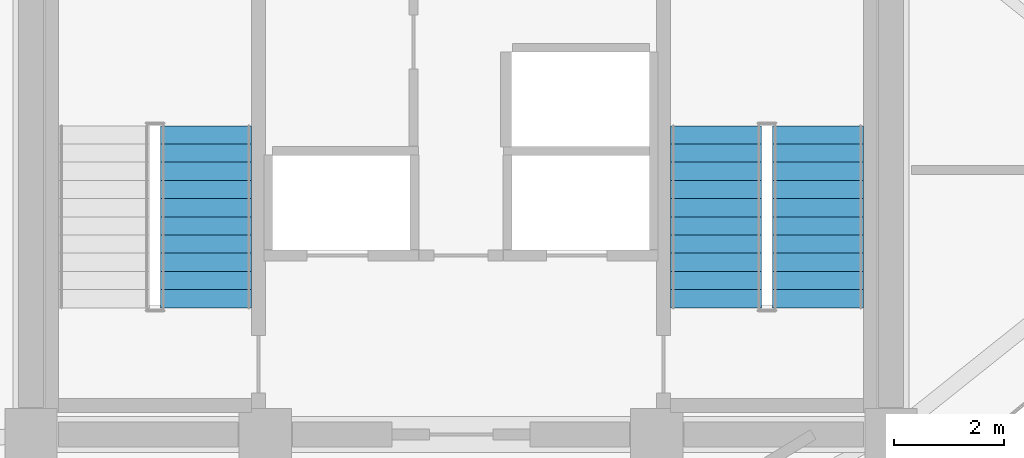
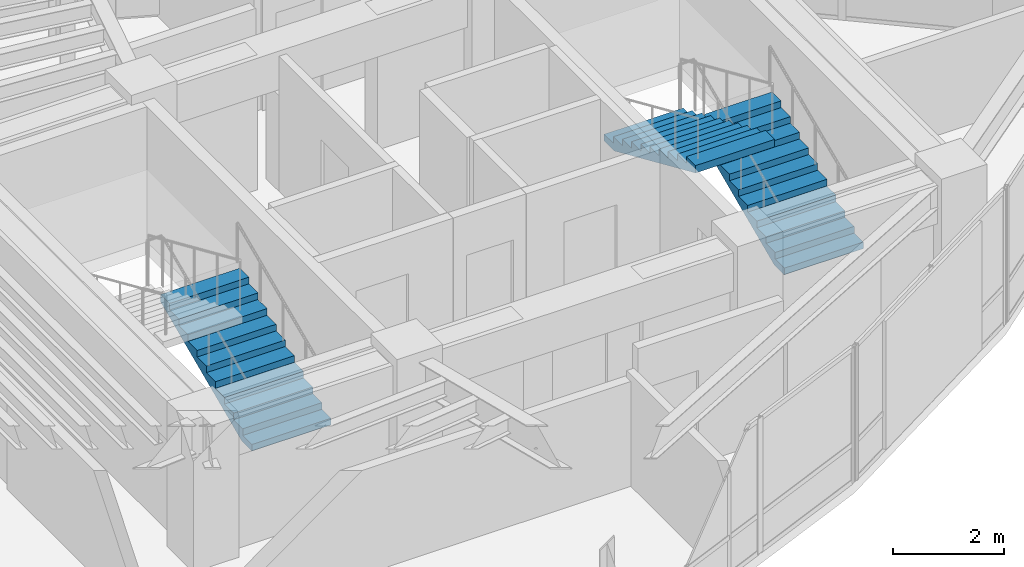
# One storey, part 13 of 14: 3 stair flights, 2 elements without a shape of their own.
"""IFC4 building model written with IfcOpenShell, lengths in metres."""

from ifc_helpers import new_model, si_unit, direction, frame, origin, place, context, subcontext, project, spatial, polyline, outline, extrude, material, type_object, element, aggregate, save


model = new_model("IFC4")

# Units and contexts
model_context = context("Model", 3, precision=1e-05, world=origin(), true_north=direction((0.0, 1.0)))
body_context = subcontext(model_context, "Body", "Model", "MODEL_VIEW")
ifc_project = project(units=[si_unit("LENGTHUNIT", "METRE"), si_unit("AREAUNIT", "SQUARE_METRE"), si_unit("VOLUMEUNIT", "CUBIC_METRE"), si_unit("PLANEANGLEUNIT", "RADIAN"), si_unit("MASSUNIT", "GRAM", prefix="KILO")], contexts=[model_context])

# Site, building, storey
site_placement = place(None, origin())
site = spatial("IfcSite", under=ifc_project, at=site_placement, CompositionType="ELEMENT")
building_placement = place(site_placement, origin())
building = spatial("IfcBuilding", under=site, at=building_placement, Name="Menara Vayukalpa", CompositionType="ELEMENT")
storey_placement = place(building_placement, frame((0.0, 0.0, 299.219970703125)))
storey = spatial("IfcBuildingStorey", under=building, at=storey_placement, Name="L76", CompositionType="ELEMENT", Elevation=299.219970703125)

# Stair, stair flight
ifc_material_1 = material(Name="Precast Concrete C40/50", Category="concrete")
stair_type = type_object("IfcStairType", Name="STR-T07", PredefinedType="DOUBLE_RETURN_STAIR", material=ifc_material_1)
stair_1_placement = place(storey_placement, origin())
stair_1 = element("IfcStair", 1, at=stair_1_placement, inside=storey, type_object=stair_type, Name="L76 Core Exit Stair ST-1", PredefinedType="DOUBLE_RETURN_STAIR")
ifc_material_2 = material(Name="Precast Concrete C40/50", Category="concrete")
stair_flight_type = type_object("IfcStairFlightType", Name="STF-T07", PredefinedType="STRAIGHT", material=ifc_material_2)
stair_flight_1_placement = place(storey_placement, frame((20.97509765625, 19.5, 0.0), z_axis=(0.0, 0.0, 1.0), x_axis=(0.0, 1.0, 0.0)))
stair_flight_1 = element("IfcStairFlight", 2, at=stair_flight_1_placement, type_object=stair_flight_type, Name="ST-1 flight 1", NumberOfRisers=11, NumberOfTreads=10, PredefinedType="STRAIGHT", RiserHeight=0.145454545, TreadLength=0.33, context=body_context, shape_type="SweptSolid", body=[
    extrude(outline(polyline([(0.0, 0.0), (0.0, 0.1455078125), (0.330078125, 0.1455078125), (0.330078125, 0.291015625), (0.659912109375, 0.291015625), (0.659912109375, 0.436279296875), (0.989990234375, 0.436279296875), (0.989990234375, 0.581787109375), (1.320068359375, 0.581787109375), (1.320068359375, 0.727294921875), (1.64990234375, 0.727294921875), (1.64990234375, 0.872802734375), (1.97998046875, 0.872802734375), (1.97998046875, 1.01806640625), (2.31005859375, 1.01806640625), (2.31005859375, 1.16357421875), (2.639892578125, 1.16357421875), (2.639892578125, 1.30908203125), (2.969970703125, 1.30908203125), (2.969970703125, 1.45458984375), (3.300048828125, 1.45458984375), (3.300048828125, 1.60009765625), (3.300048828125, 1.290771484375), (0.37158203125, 0.0), (0.0, 0.0)])), frame((0.0, 0.824951171875, 0.0), z_axis=(0.0, -1.0, 0.0), x_axis=(1.0, 0.0, 0.0)), (0.0, 0.0, 1.0), 1.64990234375),
])
aggregate(stair_1, [stair_flight_1])

# Stair, stair flights
stair_2_placement = place(storey_placement, origin())
stair_2 = element("IfcStair", 3, at=stair_2_placement, inside=storey, type_object=stair_type, Name="L76 Core Exit Stair ST-2", PredefinedType="DOUBLE_RETURN_STAIR")
stair_flight_2_placement = place(storey_placement, frame((32.074951171875, 19.5, 0.0), z_axis=(0.0, 0.0, 1.0), x_axis=(0.0, 1.0, 0.0)))
stair_flight_2 = element("IfcStairFlight", 4, at=stair_flight_2_placement, type_object=stair_flight_type, Name="ST-2 flight 1", NumberOfRisers=11, NumberOfTreads=10, PredefinedType="STRAIGHT", RiserHeight=0.145454545, TreadLength=0.33, context=body_context, shape_type="SweptSolid", body=[
    extrude(outline(polyline([(0.0, 0.0), (0.0, 0.1455078125), (0.330078125, 0.1455078125), (0.330078125, 0.291015625), (0.659912109375, 0.291015625), (0.659912109375, 0.436279296875), (0.989990234375, 0.436279296875), (0.989990234375, 0.581787109375), (1.320068359375, 0.581787109375), (1.320068359375, 0.727294921875), (1.64990234375, 0.727294921875), (1.64990234375, 0.872802734375), (1.97998046875, 0.872802734375), (1.97998046875, 1.01806640625), (2.31005859375, 1.01806640625), (2.31005859375, 1.16357421875), (2.639892578125, 1.16357421875), (2.639892578125, 1.30908203125), (2.969970703125, 1.30908203125), (2.969970703125, 1.45458984375), (3.300048828125, 1.45458984375), (3.300048828125, 1.60009765625), (3.300048828125, 1.290771484375), (0.37158203125, 0.0), (0.0, 0.0)])), frame((0.0, 0.824951171875, 0.0), z_axis=(0.0, -1.0, 0.0), x_axis=(1.0, 0.0, 0.0)), (0.0, 0.0, 1.0), 1.64990234375),
])
stair_flight_3_placement = place(storey_placement, frame((30.22509765625, 22.800048828125, 1.60009765625), z_axis=(0.0, 0.0, 1.0), x_axis=(0.0, -1.0, 0.0)))
stair_flight_3 = element("IfcStairFlight", 5, at=stair_flight_3_placement, type_object=stair_flight_type, Name="ST-2 flight 2", NumberOfRisers=11, NumberOfTreads=10, PredefinedType="STRAIGHT", RiserHeight=0.145454545, TreadLength=0.33, context=body_context, shape_type="SweptSolid", body=[
    extrude(outline(polyline([(0.0, 0.0), (0.0, 0.1455078125), (0.330078125, 0.1455078125), (0.330078125, 0.291015625), (0.659912109375, 0.291015625), (0.659912109375, 0.436279296875), (0.989990234375, 0.436279296875), (0.989990234375, 0.581787109375), (1.320068359375, 0.581787109375), (1.320068359375, 0.727294921875), (1.64990234375, 0.727294921875), (1.64990234375, 0.872802734375), (1.97998046875, 0.872802734375), (1.97998046875, 1.01806640625), (2.31005859375, 1.01806640625), (2.31005859375, 1.16357421875), (2.639892578125, 1.16357421875), (2.639892578125, 1.30908203125), (2.969970703125, 1.30908203125), (2.969970703125, 1.45458984375), (3.300048828125, 1.45458984375), (3.300048828125, 1.60009765625), (3.300048828125, 1.290771484375), (0.37158203125, 0.0), (0.0, 0.0)])), frame((0.0, 0.824951171875, 0.0), z_axis=(0.0, -1.0, 0.0), x_axis=(1.0, 0.0, 0.0)), (0.0, 0.0, 1.0), 1.64990234375),
])
aggregate(stair_2, [stair_flight_2, stair_flight_3])

save(model, "model.ifc")
